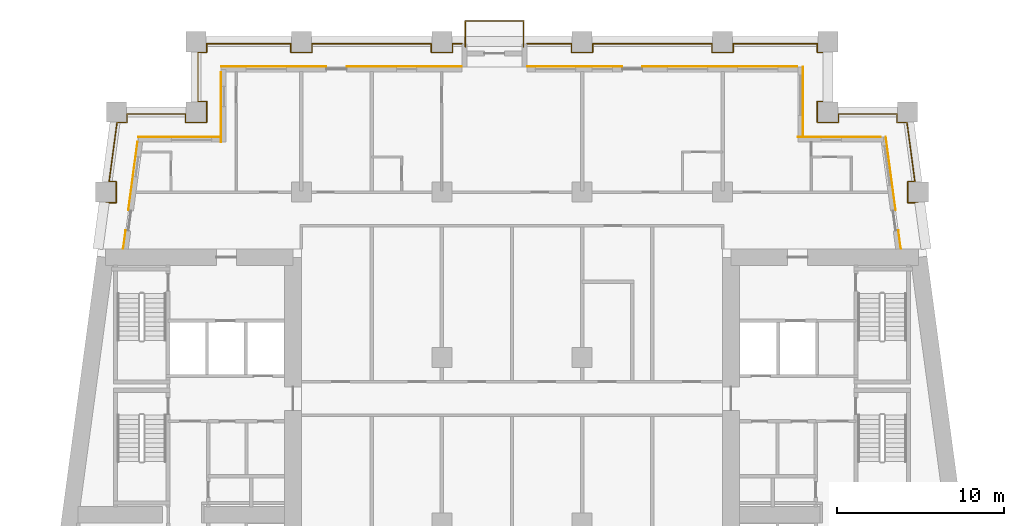
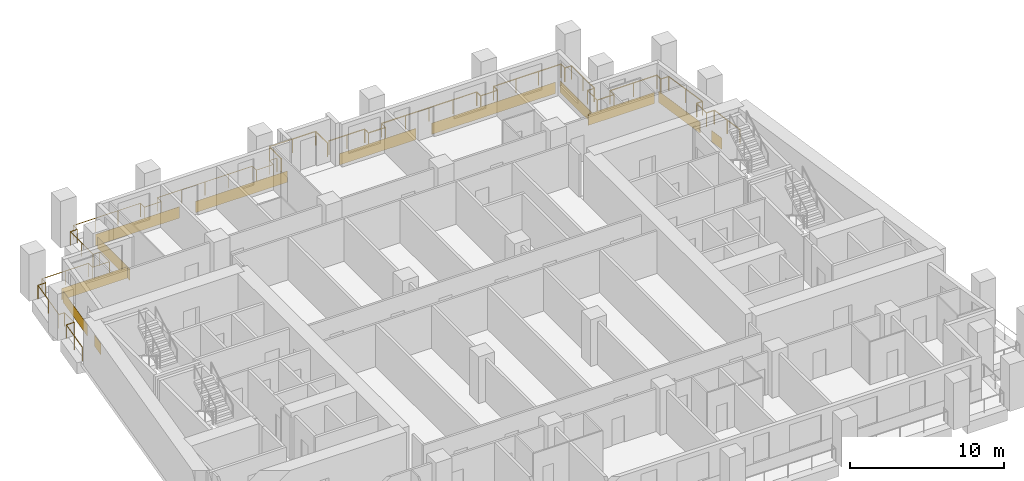
# One storey, part 12 of 13: 12 coverings, 3 railings.
"""IFC4 building model written with IfcOpenShell, lengths in metres."""

from ifc_helpers import new_model, si_unit, direction, frame, origin, origin_2d, place, context, subcontext, project, spatial, rectangle, circle, extrude, material, layer, layer_set, type_object, element, save


model = new_model("IFC4")

# Units and contexts
model_context = context("Model", 3, precision=1e-05, world=origin(), true_north=direction((0.0, 1.0)))
body_context = subcontext(model_context, "Body", "Model", "MODEL_VIEW")
ifc_project = project(units=[si_unit("LENGTHUNIT", "METRE"), si_unit("AREAUNIT", "SQUARE_METRE"), si_unit("VOLUMEUNIT", "CUBIC_METRE"), si_unit("PLANEANGLEUNIT", "RADIAN"), si_unit("MASSUNIT", "GRAM", prefix="KILO")], contexts=[model_context])

# Site, building, storey
site_placement = place(None, origin())
site = spatial("IfcSite", under=ifc_project, at=site_placement, CompositionType="ELEMENT")
building_placement = place(site_placement, origin())
building = spatial("IfcBuilding", under=site, at=building_placement, Name="Candeia Pilgrim Tower and Theatre", CompositionType="ELEMENT")
storey_placement = place(building_placement, frame((0.0, 0.0, 105.800048828125)))
storey = spatial("IfcBuildingStorey", under=building, at=storey_placement, Name="L24", CompositionType="ELEMENT", Elevation=105.800048828125)

# Railings
ifc_material_1 = material(Name="Stainless steel balustrade", Category="steel")
railing_type = type_object("IfcRailingType", Name="G1 loggia guard 1100", PredefinedType="GUARDRAIL", material=ifc_material_1)
railing_1_placement = place(storey_placement, frame((88.758544921875, 132.449951171875, 0.0)))
element("IfcRailing", 1, at=railing_1_placement, inside=storey, type_object=railing_type, Name="Guard L24.2", PredefinedType="GUARDRAIL", context=body_context, shape_type="SweptSolid", body=[
    extrude(circle(Radius=0.02392578125, at=origin_2d()), frame((0.0, 0.0, 1.076171875), z_axis=(0.133433855259, 0.991057720958, 0.0), x_axis=(-0.991057720958, 0.133433855259, 0.0)), (0.0, 0.0, 1.0), 2.74462890625),
    extrude(circle(Radius=0.02392578125, at=origin_2d()), frame((0.3662109375, 2.719970703125, 1.076171875), z_axis=(1.0, 0.0, 0.0), x_axis=(0.0, 1.0, 0.0)), (0.0, 0.0, 1.0), 0.59375),
    extrude(circle(Radius=0.02392578125, at=origin_2d()), frame((0.9599609375, 2.719970703125, 1.076171875), z_axis=(0.0, 1.0, 0.0), x_axis=(-1.0, 0.0, 0.0)), (0.0, 0.0, 1.0), 1.260009765625),
    extrude(circle(Radius=0.02392578125, at=origin_2d()), frame((0.9599609375, 3.97998046875, 1.076171875), z_axis=(-1.0, 0.0, 0.0), x_axis=(0.0, -1.0, 0.0)), (0.0, 0.0, 1.0), 0.424072265625),
    extrude(circle(Radius=0.02392578125, at=origin_2d()), frame((0.535888671875, 3.97998046875, 1.076171875), z_axis=(0.133417176173, 0.991059966451, 0.0), x_axis=(-0.991059966451, 0.133417176173, 0.0)), (0.0, 0.0, 1.0), 3.572021484375),
    extrude(circle(Radius=0.02392578125, at=origin_2d()), frame((1.012451171875, 7.52001953125, 1.076171875), z_axis=(1.0, 0.0, 0.0), x_axis=(0.0, 1.0, 0.0)), (0.0, 0.0, 1.0), 0.593505859375),
    extrude(circle(Radius=0.02392578125, at=origin_2d()), frame((1.60595703125, 7.52001953125, 1.076171875), z_axis=(0.0, 1.0, 0.0), x_axis=(-1.0, 0.0, 0.0)), (0.0, 0.0, 1.0), 0.510009765625),
    extrude(circle(Radius=0.02392578125, at=origin_2d()), frame((1.60595703125, 8.030029296875, 1.076171875), z_axis=(1.0, 0.0, 0.0), x_axis=(0.0, 1.0, 0.0)), (0.0, 0.0, 1.0), 3.505615234375),
    extrude(circle(Radius=0.02392578125, at=origin_2d()), frame((5.111572265625, 8.030029296875, 1.076171875), z_axis=(0.0, -1.0, 0.0), x_axis=(1.0, 0.0, 0.0)), (0.0, 0.0, 1.0), 0.510009765625),
    extrude(circle(Radius=0.02392578125, at=origin_2d()), frame((5.111572265625, 7.52001953125, 1.076171875), z_axis=(1.0, 0.0, 0.0), x_axis=(0.0, 1.0, 0.0)), (0.0, 0.0, 1.0), 1.259765625),
    extrude(circle(Radius=0.02392578125, at=origin_2d()), frame((6.371337890625, 7.52001953125, 1.076171875), z_axis=(0.0, 1.0, 0.0), x_axis=(-1.0, 0.0, 0.0)), (0.0, 0.0, 1.0), 1.260009765625),
    extrude(circle(Radius=0.02392578125, at=origin_2d()), frame((6.371337890625, 8.780029296875, 1.076171875), z_axis=(-1.0, 0.0, 0.0), x_axis=(0.0, -1.0, 0.0)), (0.0, 0.0, 1.0), 0.509765625),
    extrude(circle(Radius=0.02392578125, at=origin_2d()), frame((5.861572265625, 8.780029296875, 1.076171875), z_axis=(0.0, 1.0, 0.0), x_axis=(-1.0, 0.0, 0.0)), (0.0, 0.0, 1.0), 2.93994140625),
    extrude(circle(Radius=0.02392578125, at=origin_2d()), frame((5.861572265625, 11.719970703125, 1.076171875), z_axis=(1.0, 0.0, 0.0), x_axis=(0.0, 1.0, 0.0)), (0.0, 0.0, 1.0), 0.509765625),
    extrude(circle(Radius=0.02392578125, at=origin_2d()), frame((6.371337890625, 11.719970703125, 1.076171875), z_axis=(0.0, 1.0, 0.0), x_axis=(-1.0, 0.0, 0.0)), (0.0, 0.0, 1.0), 0.510009765625),
    extrude(circle(Radius=0.02392578125, at=origin_2d()), frame((6.371337890625, 12.22998046875, 1.076171875), z_axis=(1.0, 0.0, 0.0), x_axis=(0.0, 1.0, 0.0)), (0.0, 0.0, 1.0), 5.0400390625),
    extrude(circle(Radius=0.02392578125, at=origin_2d()), frame((11.411376953125, 12.22998046875, 1.076171875), z_axis=(0.0, -1.0, 0.0), x_axis=(1.0, 0.0, 0.0)), (0.0, 0.0, 1.0), 0.510009765625),
    extrude(circle(Radius=0.02392578125, at=origin_2d()), frame((11.411376953125, 11.719970703125, 1.076171875), z_axis=(1.0, 0.0, 0.0), x_axis=(0.0, 1.0, 0.0)), (0.0, 0.0, 1.0), 1.260009765625),
    extrude(circle(Radius=0.02392578125, at=origin_2d()), frame((12.67138671875, 11.719970703125, 1.076171875), z_axis=(0.0, 1.0, 0.0), x_axis=(-1.0, 0.0, 0.0)), (0.0, 0.0, 1.0), 0.510009765625),
    extrude(circle(Radius=0.02392578125, at=origin_2d()), frame((12.67138671875, 12.22998046875, 1.076171875), z_axis=(1.0, 0.0, 0.0), x_axis=(0.0, 1.0, 0.0)), (0.0, 0.0, 1.0), 7.14013671875),
    extrude(circle(Radius=0.02392578125, at=origin_2d()), frame((19.8115234375, 12.22998046875, 1.076171875), z_axis=(0.0, -1.0, 0.0), x_axis=(1.0, 0.0, 0.0)), (0.0, 0.0, 1.0), 0.510009765625),
    extrude(circle(Radius=0.02392578125, at=origin_2d()), frame((19.8115234375, 11.719970703125, 1.076171875), z_axis=(1.0, 0.0, 0.0), x_axis=(0.0, 1.0, 0.0)), (0.0, 0.0, 1.0), 1.260009765625),
    extrude(circle(Radius=0.02392578125, at=origin_2d()), frame((21.071533203125, 11.719970703125, 1.076171875), z_axis=(0.0, 1.0, 0.0), x_axis=(-1.0, 0.0, 0.0)), (0.0, 0.0, 1.0), 0.510009765625),
    extrude(circle(Radius=0.02392578125, at=origin_2d()), frame((21.071533203125, 12.22998046875, 1.076171875), z_axis=(1.0, 0.0, 0.0), x_axis=(0.0, 1.0, 0.0)), (0.0, 0.0, 1.0), 0.56982421875),
    extrude(circle(Radius=0.02099609375, at=origin_2d()), origin(), (0.0, 0.0, 1.0), 1.052001953125),
    extrude(circle(Radius=0.02099609375, at=origin_2d()), frame((0.18310546875, 1.35986328125, 0.0)), (0.0, 0.0, 1.0), 1.052001953125),
    extrude(circle(Radius=0.02099609375, at=origin_2d()), frame((0.3662109375, 2.719970703125, 0.0)), (0.0, 0.0, 1.0), 1.052001953125),
    extrude(circle(Radius=0.02099609375, at=origin_2d()), frame((0.9599609375, 2.719970703125, 0.0)), (0.0, 0.0, 1.0), 1.052001953125),
    extrude(circle(Radius=0.02099609375, at=origin_2d()), frame((0.9599609375, 3.97998046875, 0.0)), (0.0, 0.0, 1.0), 1.052001953125),
    extrude(circle(Radius=0.02099609375, at=origin_2d()), frame((0.535888671875, 3.97998046875, 0.0)), (0.0, 0.0, 1.0), 1.052001953125),
    extrude(circle(Radius=0.02099609375, at=origin_2d()), frame((0.774169921875, 5.75, 0.0)), (0.0, 0.0, 1.0), 1.052001953125),
    extrude(circle(Radius=0.02099609375, at=origin_2d()), frame((1.012451171875, 7.52001953125, 0.0)), (0.0, 0.0, 1.0), 1.052001953125),
    extrude(circle(Radius=0.02099609375, at=origin_2d()), frame((1.60595703125, 7.52001953125, 0.0)), (0.0, 0.0, 1.0), 1.052001953125),
    extrude(circle(Radius=0.02099609375, at=origin_2d()), frame((1.60595703125, 8.030029296875, 0.0)), (0.0, 0.0, 1.0), 1.052001953125),
    extrude(circle(Radius=0.02099609375, at=origin_2d()), frame((3.35888671875, 8.030029296875, 0.0)), (0.0, 0.0, 1.0), 1.052001953125),
    extrude(circle(Radius=0.02099609375, at=origin_2d()), frame((5.111572265625, 8.030029296875, 0.0)), (0.0, 0.0, 1.0), 1.052001953125),
    extrude(circle(Radius=0.02099609375, at=origin_2d()), frame((5.111572265625, 7.52001953125, 0.0)), (0.0, 0.0, 1.0), 1.052001953125),
    extrude(circle(Radius=0.02099609375, at=origin_2d()), frame((6.371337890625, 7.52001953125, 0.0)), (0.0, 0.0, 1.0), 1.052001953125),
    extrude(circle(Radius=0.02099609375, at=origin_2d()), frame((6.371337890625, 8.780029296875, 0.0)), (0.0, 0.0, 1.0), 1.052001953125),
    extrude(circle(Radius=0.02099609375, at=origin_2d()), frame((5.861572265625, 8.780029296875, 0.0)), (0.0, 0.0, 1.0), 1.052001953125),
    extrude(circle(Radius=0.02099609375, at=origin_2d()), frame((5.861572265625, 10.25, 0.0)), (0.0, 0.0, 1.0), 1.052001953125),
    extrude(circle(Radius=0.02099609375, at=origin_2d()), frame((5.861572265625, 11.719970703125, 0.0)), (0.0, 0.0, 1.0), 1.052001953125),
    extrude(circle(Radius=0.02099609375, at=origin_2d()), frame((6.371337890625, 11.719970703125, 0.0)), (0.0, 0.0, 1.0), 1.052001953125),
    extrude(circle(Radius=0.02099609375, at=origin_2d()), frame((6.371337890625, 12.22998046875, 0.0)), (0.0, 0.0, 1.0), 1.052001953125),
    extrude(circle(Radius=0.02099609375, at=origin_2d()), frame((8.05126953125, 12.22998046875, 0.0)), (0.0, 0.0, 1.0), 1.052001953125),
    extrude(circle(Radius=0.02099609375, at=origin_2d()), frame((9.7314453125, 12.22998046875, 0.0)), (0.0, 0.0, 1.0), 1.052001953125),
    extrude(circle(Radius=0.02099609375, at=origin_2d()), frame((11.411376953125, 12.22998046875, 0.0)), (0.0, 0.0, 1.0), 1.052001953125),
    extrude(circle(Radius=0.02099609375, at=origin_2d()), frame((11.411376953125, 11.719970703125, 0.0)), (0.0, 0.0, 1.0), 1.052001953125),
    extrude(circle(Radius=0.02099609375, at=origin_2d()), frame((12.67138671875, 11.719970703125, 0.0)), (0.0, 0.0, 1.0), 1.052001953125),
    extrude(circle(Radius=0.02099609375, at=origin_2d()), frame((12.67138671875, 12.22998046875, 0.0)), (0.0, 0.0, 1.0), 1.052001953125),
    extrude(circle(Radius=0.02099609375, at=origin_2d()), frame((14.45654296875, 12.22998046875, 0.0)), (0.0, 0.0, 1.0), 1.052001953125),
    extrude(circle(Radius=0.02099609375, at=origin_2d()), frame((16.241455078125, 12.22998046875, 0.0)), (0.0, 0.0, 1.0), 1.052001953125),
    extrude(circle(Radius=0.02099609375, at=origin_2d()), frame((18.0263671875, 12.22998046875, 0.0)), (0.0, 0.0, 1.0), 1.052001953125),
    extrude(circle(Radius=0.02099609375, at=origin_2d()), frame((19.8115234375, 12.22998046875, 0.0)), (0.0, 0.0, 1.0), 1.052001953125),
    extrude(circle(Radius=0.02099609375, at=origin_2d()), frame((19.8115234375, 11.719970703125, 0.0)), (0.0, 0.0, 1.0), 1.052001953125),
    extrude(circle(Radius=0.02099609375, at=origin_2d()), frame((21.071533203125, 11.719970703125, 0.0)), (0.0, 0.0, 1.0), 1.052001953125),
    extrude(circle(Radius=0.02099609375, at=origin_2d()), frame((21.071533203125, 12.22998046875, 0.0)), (0.0, 0.0, 1.0), 1.052001953125),
    extrude(circle(Radius=0.02099609375, at=origin_2d()), frame((21.641357421875, 12.22998046875, 0.0)), (0.0, 0.0, 1.0), 1.052001953125),
])
railing_2_placement = place(storey_placement, frame((114.300048828125, 144.679931640625, 0.0)))
element("IfcRailing", 2, at=railing_2_placement, inside=storey, type_object=railing_type, Name="Guard L24.3", PredefinedType="GUARDRAIL", context=body_context, shape_type="SweptSolid", body=[
    extrude(circle(Radius=0.02392578125, at=origin_2d()), frame((0.0, 0.0, 1.076171875), z_axis=(1.0, 0.0, 0.0), x_axis=(0.0, 1.0, 0.0)), (0.0, 0.0, 1.0), 2.669921875),
    extrude(circle(Radius=0.02392578125, at=origin_2d()), frame((2.669921875, 0.0, 1.076171875), z_axis=(0.0, -1.0, 0.0), x_axis=(1.0, 0.0, 0.0)), (0.0, 0.0, 1.0), 0.510009765625),
    extrude(circle(Radius=0.02392578125, at=origin_2d()), frame((2.669921875, -0.510009765625, 1.076171875), z_axis=(1.0, 0.0, 0.0), x_axis=(0.0, 1.0, 0.0)), (0.0, 0.0, 1.0), 1.260009765625),
    extrude(circle(Radius=0.02392578125, at=origin_2d()), frame((3.929931640625, -0.510009765625, 1.076171875), z_axis=(0.0, 1.0, 0.0), x_axis=(-1.0, 0.0, 0.0)), (0.0, 0.0, 1.0), 0.510009765625),
    extrude(circle(Radius=0.02392578125, at=origin_2d()), frame((3.929931640625, 0.0, 1.076171875), z_axis=(1.0, 0.0, 0.0), x_axis=(0.0, 1.0, 0.0)), (0.0, 0.0, 1.0), 7.14013671875),
    extrude(circle(Radius=0.02392578125, at=origin_2d()), frame((11.070068359375, 0.0, 1.076171875), z_axis=(0.0, -1.0, 0.0), x_axis=(1.0, 0.0, 0.0)), (0.0, 0.0, 1.0), 0.510009765625),
    extrude(circle(Radius=0.02392578125, at=origin_2d()), frame((11.070068359375, -0.510009765625, 1.076171875), z_axis=(1.0, 0.0, 0.0), x_axis=(0.0, 1.0, 0.0)), (0.0, 0.0, 1.0), 1.259765625),
    extrude(circle(Radius=0.02392578125, at=origin_2d()), frame((12.329833984375, -0.510009765625, 1.076171875), z_axis=(0.0, 1.0, 0.0), x_axis=(-1.0, 0.0, 0.0)), (0.0, 0.0, 1.0), 0.510009765625),
    extrude(circle(Radius=0.02392578125, at=origin_2d()), frame((12.329833984375, 0.0, 1.076171875), z_axis=(1.0, 0.0, 0.0), x_axis=(0.0, 1.0, 0.0)), (0.0, 0.0, 1.0), 5.0400390625),
    extrude(circle(Radius=0.02392578125, at=origin_2d()), frame((17.369873046875, 0.0, 1.076171875), z_axis=(0.0, -1.0, 0.0), x_axis=(1.0, 0.0, 0.0)), (0.0, 0.0, 1.0), 0.510009765625),
    extrude(circle(Radius=0.02392578125, at=origin_2d()), frame((17.369873046875, -0.510009765625, 1.076171875), z_axis=(1.0, 0.0, 0.0), x_axis=(0.0, 1.0, 0.0)), (0.0, 0.0, 1.0), 0.510009765625),
    extrude(circle(Radius=0.02392578125, at=origin_2d()), frame((17.8798828125, -0.510009765625, 1.076171875), z_axis=(0.0, -1.0, 0.0), x_axis=(1.0, 0.0, 0.0)), (0.0, 0.0, 1.0), 2.93994140625),
    extrude(circle(Radius=0.02392578125, at=origin_2d()), frame((17.8798828125, -3.449951171875, 1.076171875), z_axis=(-1.0, 0.0, 0.0), x_axis=(0.0, -1.0, 0.0)), (0.0, 0.0, 1.0), 0.510009765625),
    extrude(circle(Radius=0.02392578125, at=origin_2d()), frame((17.369873046875, -3.449951171875, 1.076171875), z_axis=(0.0, -1.0, 0.0), x_axis=(1.0, 0.0, 0.0)), (0.0, 0.0, 1.0), 1.260009765625),
    extrude(circle(Radius=0.02392578125, at=origin_2d()), frame((17.369873046875, -4.7099609375, 1.076171875), z_axis=(1.0, 0.0, 0.0), x_axis=(0.0, 1.0, 0.0)), (0.0, 0.0, 1.0), 1.260009765625),
    extrude(circle(Radius=0.02392578125, at=origin_2d()), frame((18.6298828125, -4.7099609375, 1.076171875), z_axis=(0.0, 1.0, 0.0), x_axis=(-1.0, 0.0, 0.0)), (0.0, 0.0, 1.0), 0.510009765625),
    extrude(circle(Radius=0.02392578125, at=origin_2d()), frame((18.6298828125, -4.199951171875, 1.076171875), z_axis=(1.0, 0.0, 0.0), x_axis=(0.0, 1.0, 0.0)), (0.0, 0.0, 1.0), 3.50537109375),
    extrude(circle(Radius=0.02392578125, at=origin_2d()), frame((22.13525390625, -4.199951171875, 1.076171875), z_axis=(0.0, -1.0, 0.0), x_axis=(1.0, 0.0, 0.0)), (0.0, 0.0, 1.0), 0.510009765625),
    extrude(circle(Radius=0.02392578125, at=origin_2d()), frame((22.13525390625, -4.7099609375, 1.076171875), z_axis=(1.0, 0.0, 0.0), x_axis=(0.0, 1.0, 0.0)), (0.0, 0.0, 1.0), 0.59375),
    extrude(circle(Radius=0.02392578125, at=origin_2d()), frame((22.72900390625, -4.7099609375, 1.076171875), z_axis=(0.133417176173, -0.991059966451, 0.0), x_axis=(0.991059966451, 0.133417176173, 0.0)), (0.0, 0.0, 1.0), 3.572021484375),
    extrude(circle(Radius=0.02392578125, at=origin_2d()), frame((23.20556640625, -8.25, 1.076171875), z_axis=(-1.0, 0.0, 0.0), x_axis=(0.0, -1.0, 0.0)), (0.0, 0.0, 1.0), 0.424072265625),
    extrude(circle(Radius=0.02392578125, at=origin_2d()), frame((22.781494140625, -8.25, 1.076171875), z_axis=(0.0, -1.0, 0.0), x_axis=(1.0, 0.0, 0.0)), (0.0, 0.0, 1.0), 1.260009765625),
    extrude(circle(Radius=0.02392578125, at=origin_2d()), frame((22.781494140625, -9.510009765625, 1.076171875), z_axis=(1.0, 0.0, 0.0), x_axis=(0.0, 1.0, 0.0)), (0.0, 0.0, 1.0), 0.59375),
    extrude(circle(Radius=0.02392578125, at=origin_2d()), frame((23.375244140625, -9.510009765625, 1.076171875), z_axis=(0.133433855259, -0.991057720958, 0.0), x_axis=(0.991057720958, 0.133433855259, 0.0)), (0.0, 0.0, 1.0), 2.74462890625),
    extrude(circle(Radius=0.02099609375, at=origin_2d()), origin(), (0.0, 0.0, 1.0), 1.052001953125),
    extrude(circle(Radius=0.02099609375, at=origin_2d()), frame((1.3349609375, 0.0, 0.0)), (0.0, 0.0, 1.0), 1.052001953125),
    extrude(circle(Radius=0.02099609375, at=origin_2d()), frame((2.669921875, 0.0, 0.0)), (0.0, 0.0, 1.0), 1.052001953125),
    extrude(circle(Radius=0.02099609375, at=origin_2d()), frame((2.669921875, -0.510009765625, 0.0)), (0.0, 0.0, 1.0), 1.052001953125),
    extrude(circle(Radius=0.02099609375, at=origin_2d()), frame((3.929931640625, -0.510009765625, 0.0)), (0.0, 0.0, 1.0), 1.052001953125),
    extrude(circle(Radius=0.02099609375, at=origin_2d()), frame((3.929931640625, 0.0, 0.0)), (0.0, 0.0, 1.0), 1.052001953125),
    extrude(circle(Radius=0.02099609375, at=origin_2d()), frame((5.71484375, 0.0, 0.0)), (0.0, 0.0, 1.0), 1.052001953125),
    extrude(circle(Radius=0.02099609375, at=origin_2d()), frame((7.5, 0.0, 0.0)), (0.0, 0.0, 1.0), 1.052001953125),
    extrude(circle(Radius=0.02099609375, at=origin_2d()), frame((9.28515625, 0.0, 0.0)), (0.0, 0.0, 1.0), 1.052001953125),
    extrude(circle(Radius=0.02099609375, at=origin_2d()), frame((11.070068359375, 0.0, 0.0)), (0.0, 0.0, 1.0), 1.052001953125),
    extrude(circle(Radius=0.02099609375, at=origin_2d()), frame((11.070068359375, -0.510009765625, 0.0)), (0.0, 0.0, 1.0), 1.052001953125),
    extrude(circle(Radius=0.02099609375, at=origin_2d()), frame((12.329833984375, -0.510009765625, 0.0)), (0.0, 0.0, 1.0), 1.052001953125),
    extrude(circle(Radius=0.02099609375, at=origin_2d()), frame((12.329833984375, 0.0, 0.0)), (0.0, 0.0, 1.0), 1.052001953125),
    extrude(circle(Radius=0.02099609375, at=origin_2d()), frame((14.009765625, 0.0, 0.0)), (0.0, 0.0, 1.0), 1.052001953125),
    extrude(circle(Radius=0.02099609375, at=origin_2d()), frame((15.68994140625, 0.0, 0.0)), (0.0, 0.0, 1.0), 1.052001953125),
    extrude(circle(Radius=0.02099609375, at=origin_2d()), frame((17.369873046875, 0.0, 0.0)), (0.0, 0.0, 1.0), 1.052001953125),
    extrude(circle(Radius=0.02099609375, at=origin_2d()), frame((17.369873046875, -0.510009765625, 0.0)), (0.0, 0.0, 1.0), 1.052001953125),
    extrude(circle(Radius=0.02099609375, at=origin_2d()), frame((17.8798828125, -0.510009765625, 0.0)), (0.0, 0.0, 1.0), 1.052001953125),
    extrude(circle(Radius=0.02099609375, at=origin_2d()), frame((17.8798828125, -1.97998046875, 0.0)), (0.0, 0.0, 1.0), 1.052001953125),
    extrude(circle(Radius=0.02099609375, at=origin_2d()), frame((17.8798828125, -3.449951171875, 0.0)), (0.0, 0.0, 1.0), 1.052001953125),
    extrude(circle(Radius=0.02099609375, at=origin_2d()), frame((17.369873046875, -3.449951171875, 0.0)), (0.0, 0.0, 1.0), 1.052001953125),
    extrude(circle(Radius=0.02099609375, at=origin_2d()), frame((17.369873046875, -4.7099609375, 0.0)), (0.0, 0.0, 1.0), 1.052001953125),
    extrude(circle(Radius=0.02099609375, at=origin_2d()), frame((18.6298828125, -4.7099609375, 0.0)), (0.0, 0.0, 1.0), 1.052001953125),
    extrude(circle(Radius=0.02099609375, at=origin_2d()), frame((18.6298828125, -4.199951171875, 0.0)), (0.0, 0.0, 1.0), 1.052001953125),
    extrude(circle(Radius=0.02099609375, at=origin_2d()), frame((20.382568359375, -4.199951171875, 0.0)), (0.0, 0.0, 1.0), 1.052001953125),
    extrude(circle(Radius=0.02099609375, at=origin_2d()), frame((22.13525390625, -4.199951171875, 0.0)), (0.0, 0.0, 1.0), 1.052001953125),
    extrude(circle(Radius=0.02099609375, at=origin_2d()), frame((22.13525390625, -4.7099609375, 0.0)), (0.0, 0.0, 1.0), 1.052001953125),
    extrude(circle(Radius=0.02099609375, at=origin_2d()), frame((22.72900390625, -4.7099609375, 0.0)), (0.0, 0.0, 1.0), 1.052001953125),
    extrude(circle(Radius=0.02099609375, at=origin_2d()), frame((22.96728515625, -6.47998046875, 0.0)), (0.0, 0.0, 1.0), 1.052001953125),
    extrude(circle(Radius=0.02099609375, at=origin_2d()), frame((23.20556640625, -8.25, 0.0)), (0.0, 0.0, 1.0), 1.052001953125),
    extrude(circle(Radius=0.02099609375, at=origin_2d()), frame((22.781494140625, -8.25, 0.0)), (0.0, 0.0, 1.0), 1.052001953125),
    extrude(circle(Radius=0.02099609375, at=origin_2d()), frame((22.781494140625, -9.510009765625, 0.0)), (0.0, 0.0, 1.0), 1.052001953125),
    extrude(circle(Radius=0.02099609375, at=origin_2d()), frame((23.375244140625, -9.510009765625, 0.0)), (0.0, 0.0, 1.0), 1.052001953125),
    extrude(circle(Radius=0.02099609375, at=origin_2d()), frame((23.558349609375, -10.8701171875, 0.0)), (0.0, 0.0, 1.0), 1.052001953125),
    extrude(circle(Radius=0.02099609375, at=origin_2d()), frame((23.741455078125, -12.22998046875, 0.0)), (0.0, 0.0, 1.0), 1.052001953125),
])
railing_3_placement = place(storey_placement, frame((110.610107421875, 144.5, 0.0)))
element("IfcRailing", 3, at=railing_3_placement, inside=storey, type_object=railing_type, Name="Balcony guard L24", PredefinedType="GUARDRAIL", context=body_context, shape_type="SweptSolid", body=[
    extrude(circle(Radius=0.02392578125, at=origin_2d()), frame((0.0, 0.0, 1.076171875), z_axis=(0.0, 1.0, 0.0), x_axis=(-1.0, 0.0, 0.0)), (0.0, 0.0, 1.0), 1.5400390625),
    extrude(circle(Radius=0.02392578125, at=origin_2d()), frame((0.0, 1.5400390625, 1.076171875), z_axis=(1.0, 0.0, 0.0), x_axis=(0.0, 1.0, 0.0)), (0.0, 0.0, 1.0), 3.47998046875),
    extrude(circle(Radius=0.02392578125, at=origin_2d()), frame((3.47998046875, 1.5400390625, 1.076171875), z_axis=(0.0, -1.0, 0.0), x_axis=(1.0, 0.0, 0.0)), (0.0, 0.0, 1.0), 1.5400390625),
    extrude(circle(Radius=0.02099609375, at=origin_2d()), origin(), (0.0, 0.0, 1.0), 1.052001953125),
    extrude(circle(Radius=0.02099609375, at=origin_2d()), frame((0.0, 1.5400390625, 0.0)), (0.0, 0.0, 1.0), 1.052001953125),
    extrude(circle(Radius=0.02099609375, at=origin_2d()), frame((1.739990234375, 1.5400390625, 0.0)), (0.0, 0.0, 1.0), 1.052001953125),
    extrude(circle(Radius=0.02099609375, at=origin_2d()), frame((3.47998046875, 1.5400390625, 0.0)), (0.0, 0.0, 1.0), 1.052001953125),
    extrude(circle(Radius=0.02099609375, at=origin_2d()), frame((3.47998046875, 0.0, 0.0)), (0.0, 0.0, 1.0), 1.052001953125),
])

# Coverings
ifc_material_2 = material(Name="Glazed ceramic tile red")
ifc_layer = layer(ifc_material_2, 0.02001953125)
ifc_layer_set = layer_set([ifc_layer], Name="Glazed ceramic tile red")
covering_type = type_object("IfcCoveringType", Name="Glazed ceramic tile red", PredefinedType="CLADDING", material=ifc_layer_set)
covering_1_placement = place(storey_placement, frame((136.588623046875, 132.97412109375, 0.0), z_axis=(0.0, 0.0, 1.0), x_axis=(-0.133412012145, 0.991060661622, 0.0)))
element("IfcCovering", 4, at=covering_1_placement, inside=storey, type_object=covering_type, Name="Tile cladding red L24", PredefinedType="CLADDING", context=body_context, shape_type="SweptSolid", body=[
    extrude(rectangle(XDim=1.115234375, YDim=0.02001953125, at=origin_2d()), origin(), (0.0, 0.0, 1.0), 0.89990234375),
])
covering_2_placement = place(storey_placement, frame((136.058837890625, 136.90869140625, 0.0), z_axis=(0.0, 0.0, 1.0), x_axis=(-0.133412012145, 0.991060661622, 0.0)))
element("IfcCovering", 5, at=covering_2_placement, inside=storey, type_object=covering_type, Name="Tile cladding red L24", PredefinedType="CLADDING", context=body_context, shape_type="SweptSolid", body=[
    extrude(rectangle(XDim=4.4248046875, YDim=0.02001953125, at=origin_2d()), origin(), (0.0, 0.0, 1.0), 0.89990234375),
])
covering_3_placement = place(storey_placement, frame((132.976318359375, 139.110107421875, 0.0), z_axis=(0.0, 0.0, 1.0), x_axis=(-1.0, 0.0, 0.0)))
element("IfcCovering", 6, at=covering_3_placement, inside=storey, type_object=covering_type, Name="Tile cladding red L24", PredefinedType="CLADDING", context=body_context, shape_type="SweptSolid", body=[
    extrude(rectangle(XDim=4.95263671875, YDim=0.02001953125, at=origin_2d()), origin(), (0.0, 0.0, 1.0), 0.89990234375),
])
covering_4_placement = place(storey_placement, frame((130.81005859375, 141.2099609375, 0.0), z_axis=(0.0, 0.0, 1.0), x_axis=(0.0, 1.0, 0.0)))
element("IfcCovering", 7, at=covering_4_placement, inside=storey, type_object=covering_type, Name="Tile cladding red L24", PredefinedType="CLADDING", context=body_context, shape_type="SweptSolid", body=[
    extrude(rectangle(XDim=4.179931640625, YDim=0.02001953125, at=origin_2d()), origin(), (0.0, 0.0, 1.0), 0.89990234375),
])
covering_5_placement = place(storey_placement, frame((125.840087890625, 143.31005859375, 0.0), z_axis=(0.0, 0.0, 1.0), x_axis=(-1.0, 0.0, 0.0)))
element("IfcCovering", 8, at=covering_5_placement, inside=storey, type_object=covering_type, Name="Tile cladding red L24", PredefinedType="CLADDING", context=body_context, shape_type="SweptSolid", body=[
    extrude(rectangle(XDim=9.280029296875, YDim=0.02001953125, at=origin_2d()), origin(), (0.0, 0.0, 1.0), 0.89990234375),
])
covering_6_placement = place(storey_placement, frame((117.14990234375, 143.31005859375, 0.0), z_axis=(0.0, 0.0, 1.0), x_axis=(-1.0, 0.0, 0.0)))
element("IfcCovering", 9, at=covering_6_placement, inside=storey, type_object=covering_type, Name="Tile cladding red L24", PredefinedType="CLADDING", context=body_context, shape_type="SweptSolid", body=[
    extrude(rectangle(XDim=5.699951171875, YDim=0.02001953125, at=origin_2d()), origin(), (0.0, 0.0, 1.0), 0.89990234375),
])
covering_7_placement = place(storey_placement, frame((106.949951171875, 143.31005859375, 0.0), z_axis=(0.0, 0.0, 1.0), x_axis=(-1.0, 0.0, 0.0)))
element("IfcCovering", 10, at=covering_7_placement, inside=storey, type_object=covering_type, Name="Tile cladding red L24", PredefinedType="CLADDING", context=body_context, shape_type="SweptSolid", body=[
    extrude(rectangle(XDim=6.89990234375, YDim=0.02001953125, at=origin_2d()), origin(), (0.0, 0.0, 1.0), 0.89990234375),
])
covering_8_placement = place(storey_placement, frame((99.14990234375, 143.31005859375, 0.0), z_axis=(0.0, 0.0, 1.0), x_axis=(-1.0, 0.0, 0.0)))
element("IfcCovering", 11, at=covering_8_placement, inside=storey, type_object=covering_type, Name="Tile cladding red L24", PredefinedType="CLADDING", context=body_context, shape_type="SweptSolid", body=[
    extrude(rectangle(XDim=6.300048828125, YDim=0.02001953125, at=origin_2d()), origin(), (0.0, 0.0, 1.0), 0.89990234375),
])
covering_9_placement = place(storey_placement, frame((95.989990234375, 140.889892578125, 0.0), z_axis=(0.0, 0.0, 1.0), x_axis=(0.0, -1.0, 0.0)))
element("IfcCovering", 12, at=covering_9_placement, inside=storey, type_object=covering_type, Name="Tile cladding red L24", PredefinedType="CLADDING", context=body_context, shape_type="SweptSolid", body=[
    extrude(rectangle(XDim=4.179931640625, YDim=0.02001953125, at=origin_2d()), origin(), (0.0, 0.0, 1.0), 0.89990234375),
])
covering_10_placement = place(storey_placement, frame((93.51318359375, 139.110107421875, 0.0), z_axis=(0.0, 0.0, 1.0), x_axis=(-1.0, 0.0, 0.0)))
element("IfcCovering", 13, at=covering_10_placement, inside=storey, type_object=covering_type, Name="Tile cladding red L24", PredefinedType="CLADDING", context=body_context, shape_type="SweptSolid", body=[
    extrude(rectangle(XDim=4.933837890625, YDim=0.02001953125, at=origin_2d()), origin(), (0.0, 0.0, 1.0), 0.89990234375),
])
covering_11_placement = place(storey_placement, frame((90.720947265625, 136.759521484375, 0.0), z_axis=(0.0, 0.0, 1.0), x_axis=(-0.133412012145, -0.991060661622, 0.0)))
element("IfcCovering", 14, at=covering_11_placement, inside=storey, type_object=covering_type, Name="Tile cladding red L24", PredefinedType="CLADDING", context=body_context, shape_type="SweptSolid", body=[
    extrude(rectangle(XDim=4.123779296875, YDim=0.02001953125, at=origin_2d()), origin(), (0.0, 0.0, 1.0), 0.89990234375),
])
covering_12_placement = place(storey_placement, frame((90.21142578125, 132.97412109375, 0.0), z_axis=(0.0, 0.0, 1.0), x_axis=(-0.133412012145, -0.991060661622, 0.0)))
element("IfcCovering", 15, at=covering_12_placement, inside=storey, type_object=covering_type, Name="Tile cladding red L24", PredefinedType="CLADDING", context=body_context, shape_type="SweptSolid", body=[
    extrude(rectangle(XDim=1.115234375, YDim=0.02001953125, at=origin_2d()), origin(), (0.0, 0.0, 1.0), 0.89990234375),
])

save(model, "model.ifc")
